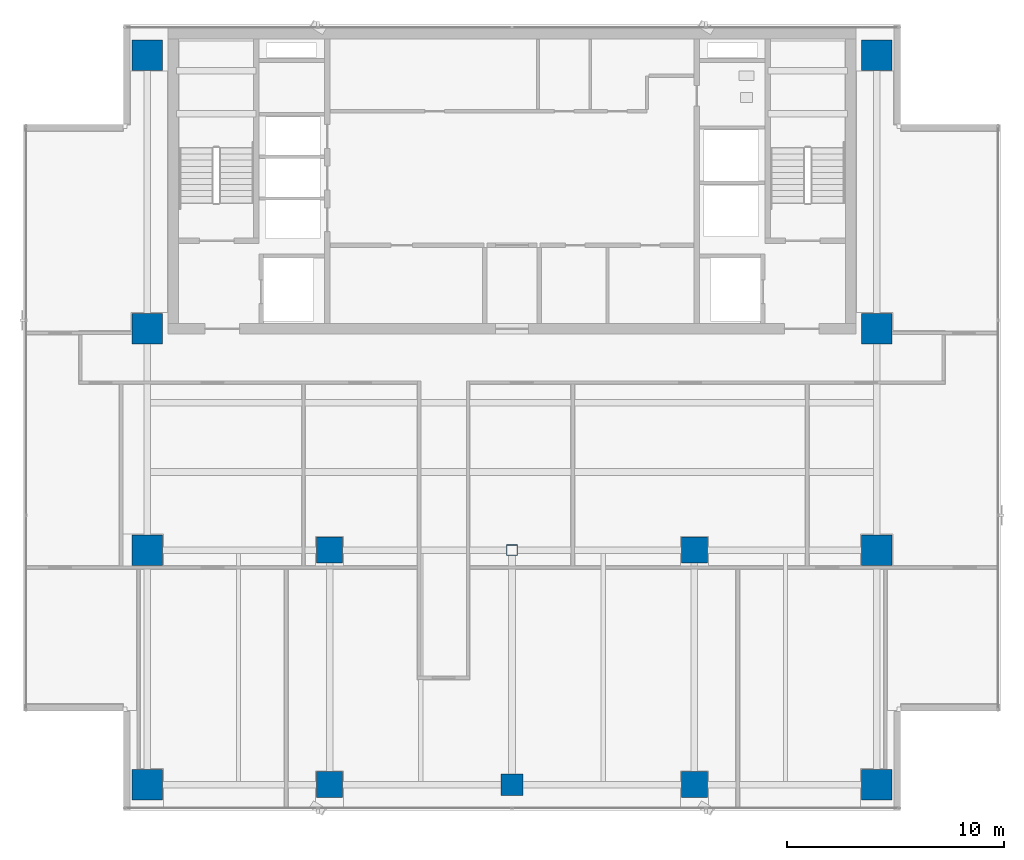
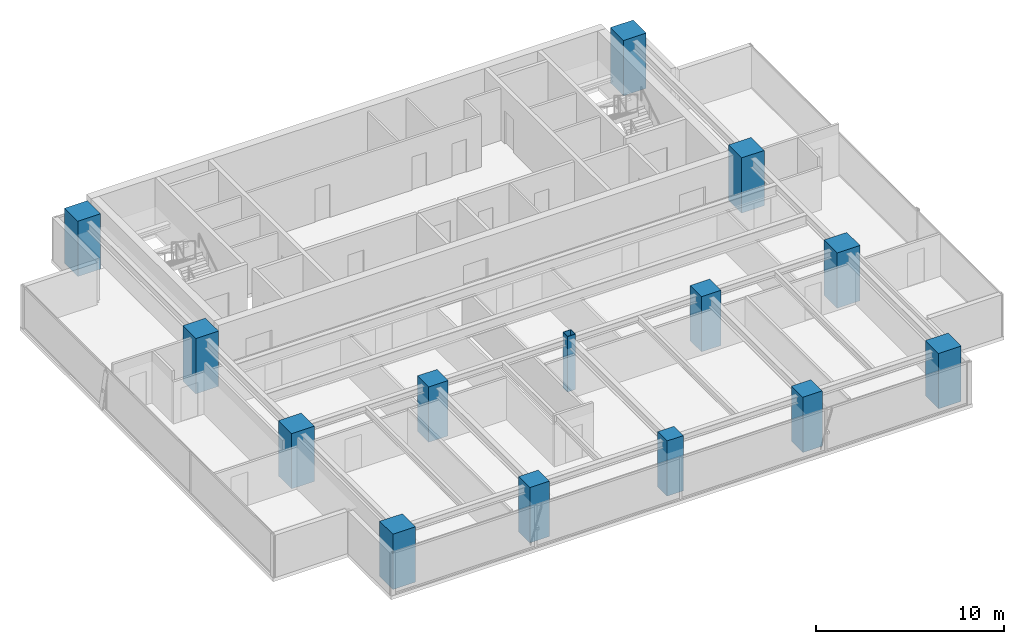
# One storey, part 1 of 26: 14 columns.
"""IFC4 building model written with IfcOpenShell, lengths in metres."""

from ifc_helpers import new_model, si_unit, direction, frame, origin, origin_with_axes, origin_2d, place, context, subcontext, project, spatial, rectangle, hollow_rectangle, extrude, source, transform, mapped, material, material_profile, profile_set, type_object, element, save


model = new_model("IFC4")

# Units and contexts
model_context = context("Model", 3, precision=1e-05, world=origin(), true_north=direction((0.0, 1.0)))
body_context = subcontext(model_context, "Body", "Model", "MODEL_VIEW")
ifc_project = project(units=[si_unit("LENGTHUNIT", "METRE"), si_unit("AREAUNIT", "SQUARE_METRE"), si_unit("VOLUMEUNIT", "CUBIC_METRE"), si_unit("PLANEANGLEUNIT", "RADIAN"), si_unit("MASSUNIT", "GRAM", prefix="KILO")], contexts=[model_context])

# Site, building, storey
site_placement = place(None, origin())
site = spatial("IfcSite", under=ifc_project, at=site_placement, CompositionType="ELEMENT")
building_placement = place(site_placement, origin())
building = spatial("IfcBuilding", under=site, at=building_placement, Name="Sumidabori Civic Tower", CompositionType="ELEMENT")
storey_placement = place(building_placement, frame((0.0, 0.0, 250.39990234375)))
storey = spatial("IfcBuildingStorey", under=building, at=storey_placement, Name="L65", CompositionType="ELEMENT", Elevation=250.39990234375)

# Columns
ifc_material_1 = material(Name="Concrete C60/75", Category="concrete")
ifc_material_profile_1 = material_profile(ifc_material_1, rectangle(XDim=1.39990234375, YDim=1.39990234375, at=origin_2d()), Name="RC 1400x1400")
ifc_profile_set_1 = profile_set([ifc_material_profile_1], Name="Concrete C60/75")
column_type_1 = type_object("IfcColumnType", Name="CL-MEGA-1400", PredefinedType="COLUMN", material=ifc_profile_set_1)
shared_shape_1 = source(origin(), body_context, "Body", "SweptSolid", [
    extrude(rectangle(XDim=1.39990234375, YDim=1.39990234375, at=origin_2d()), origin(), (0.0, 0.0, 1.0), 3.60009765625),
])
for number, where, z_axis, x_axis, name in (
    (1, (-16.800048828125, -10.800048828125, 0.0), (0.0, 0.0, 1.0), (1.0, 0.0, 0.0), "Column MC-W16-Y11S L65"),
    (2, (-16.800048828125, 0.0, 0.0), (0.0, 0.0, 1.0), (1.0, 0.0, 0.0), "Column MC-W16-Y00 L65"),
    (3, (-16.800048828125, 10.199951171875, 0.0), (0.0, 0.0, 1.0), (1.0, 0.0, 0.0), "Column MC-W16-Y10N L65"),
    (4, (-16.800048828125, 22.800048828125, 0.0), (0.0, 0.0, 1.0), (1.0, 0.0, 0.0), "Column MC-W16-Y23N L65"),
    (5, (16.800048828125, -10.800048828125, 0.0), (0.0, 0.0, 1.0), (1.0, 0.0, 0.0), "Column MC-E16-Y11S L65"),
    (6, (16.800048828125, 0.0, 0.0), (0.0, 0.0, 1.0), (1.0, 0.0, 0.0), "Column MC-E16-Y00 L65"),
    (7, (16.800048828125, 10.199951171875, 0.0), (0.0, 0.0, 1.0), (1.0, 0.0, 0.0), "Column MC-E16-Y10N L65"),
    (8, (16.800048828125, 22.800048828125, 0.0), (0.0, 0.0, 1.0), (1.0, 0.0, 0.0), "Column MC-E16-Y23N L65"),
):
    element("IfcColumn", number, at=place(storey_placement, frame(where, z_axis=z_axis, x_axis=x_axis)), inside=storey, type_object=column_type_1, Name=name, PredefinedType="COLUMN", context=body_context, shape_type="MappedRepresentation", body=[
        mapped(shared_shape_1, transform((0.0, 0.0, 0.0), x_axis=(1.0, 0.0, 0.0), y_axis=(0.0, 1.0, 0.0), z_axis=(0.0, 0.0, 1.0), scale=1.0)),
    ])
ifc_material_2 = material(Name="Concrete C50/60", Category="concrete")
ifc_material_profile_2 = material_profile(ifc_material_2, rectangle(XDim=1.0, YDim=1.0, at=origin_2d()), Name="RC 1000x1000")
ifc_profile_set_2 = profile_set([ifc_material_profile_2], Name="Concrete C50/60")
column_type_2 = type_object("IfcColumnType", Name="CL-INT-1000", PredefinedType="COLUMN", material=ifc_profile_set_2)
shared_shape_2 = source(origin(), body_context, "Body", "SweptSolid", [
    extrude(rectangle(XDim=1.0, YDim=1.0, at=origin_2d()), origin(), (0.0, 0.0, 1.0), 3.60009765625),
])
column_1_placement = place(storey_placement, frame((0.0, -10.800048828125, 0.0), z_axis=(0.0, 0.0, 1.0), x_axis=(1.0, 0.0, 0.0)))
element("IfcColumn", 9, at=column_1_placement, inside=storey, type_object=column_type_2, Name="Column MC-C00-Y11S L65", PredefinedType="COLUMN", context=body_context, shape_type="MappedRepresentation", body=[
    mapped(shared_shape_2, transform((0.0, 0.0, 0.0), x_axis=(1.0, 0.0, 0.0), y_axis=(0.0, 1.0, 0.0), z_axis=(0.0, 0.0, 1.0), scale=1.0)),
])
ifc_material_profile_3 = material_profile(ifc_material_2, rectangle(XDim=1.199951171875, YDim=1.199951171875, at=origin_2d()), Name="RC 1200x1200")
ifc_profile_set_3 = profile_set([ifc_material_profile_3], Name="Concrete C50/60")
column_type_3 = type_object("IfcColumnType", Name="CL-MEGA-1200", PredefinedType="COLUMN", material=ifc_profile_set_3)
shared_shape_3 = source(origin(), body_context, "Body", "SweptSolid", [
    extrude(rectangle(XDim=1.199951171875, YDim=1.199951171875, at=origin_2d()), origin(), (0.0, 0.0, 1.0), 3.60009765625),
])
for number, where, z_axis, x_axis, name in (
    (10, (-8.39990234375, 0.0, 0.0), (0.0, 0.0, 1.0), (1.0, 0.0, 0.0), "Column MC-W08-Y00 L65"),
    (11, (-8.39990234375, -10.800048828125, 0.0), (0.0, 0.0, 1.0), (1.0, 0.0, 0.0), "Column MC-W08-Y11S L65"),
    (12, (8.39990234375, 0.0, 0.0), (0.0, 0.0, 1.0), (1.0, 0.0, 0.0), "Column MC-E08-Y00 L65"),
    (13, (8.39990234375, -10.800048828125, 0.0), (0.0, 0.0, 1.0), (1.0, 0.0, 0.0), "Column MC-E08-Y11S L65"),
):
    element("IfcColumn", number, at=place(storey_placement, frame(where, z_axis=z_axis, x_axis=x_axis)), inside=storey, type_object=column_type_3, Name=name, PredefinedType="COLUMN", context=body_context, shape_type="MappedRepresentation", body=[
        mapped(shared_shape_3, transform((0.0, 0.0, 0.0), x_axis=(1.0, 0.0, 0.0), y_axis=(0.0, 1.0, 0.0), z_axis=(0.0, 0.0, 1.0), scale=1.0)),
    ])
ifc_material_3 = material(Name="Steel SN490", Category="steel")
ifc_material_profile_4 = material_profile(ifc_material_3, hollow_rectangle(XDim=0.5, YDim=0.5, WallThickness=0.02490234375, at=origin_2d()), Name="SHS 500x500x25")
ifc_profile_set_4 = profile_set([ifc_material_profile_4], Name="Steel SN490")
column_type_4 = type_object("IfcColumnType", Name="CL-CRN-SHS500", PredefinedType="COLUMN", material=ifc_profile_set_4)
shared_shape_4 = source(origin(), body_context, "Body", "SweptSolid", [
    extrude(hollow_rectangle(XDim=0.5, YDim=0.5, WallThickness=0.02490234375, at=origin_2d()), origin(), (0.0, 0.0, 1.0), 3.60009765625),
])
column_2_placement = place(storey_placement, origin_with_axes())
element("IfcColumn", 14, at=column_2_placement, inside=storey, type_object=column_type_4, Name="Column MC-C00-Y00 L65", PredefinedType="COLUMN", context=body_context, shape_type="MappedRepresentation", body=[
    mapped(shared_shape_4, transform((0.0, 0.0, 0.0), x_axis=(1.0, 0.0, 0.0), y_axis=(0.0, 1.0, 0.0), z_axis=(0.0, 0.0, 1.0), scale=1.0)),
])

save(model, "model.ifc")
